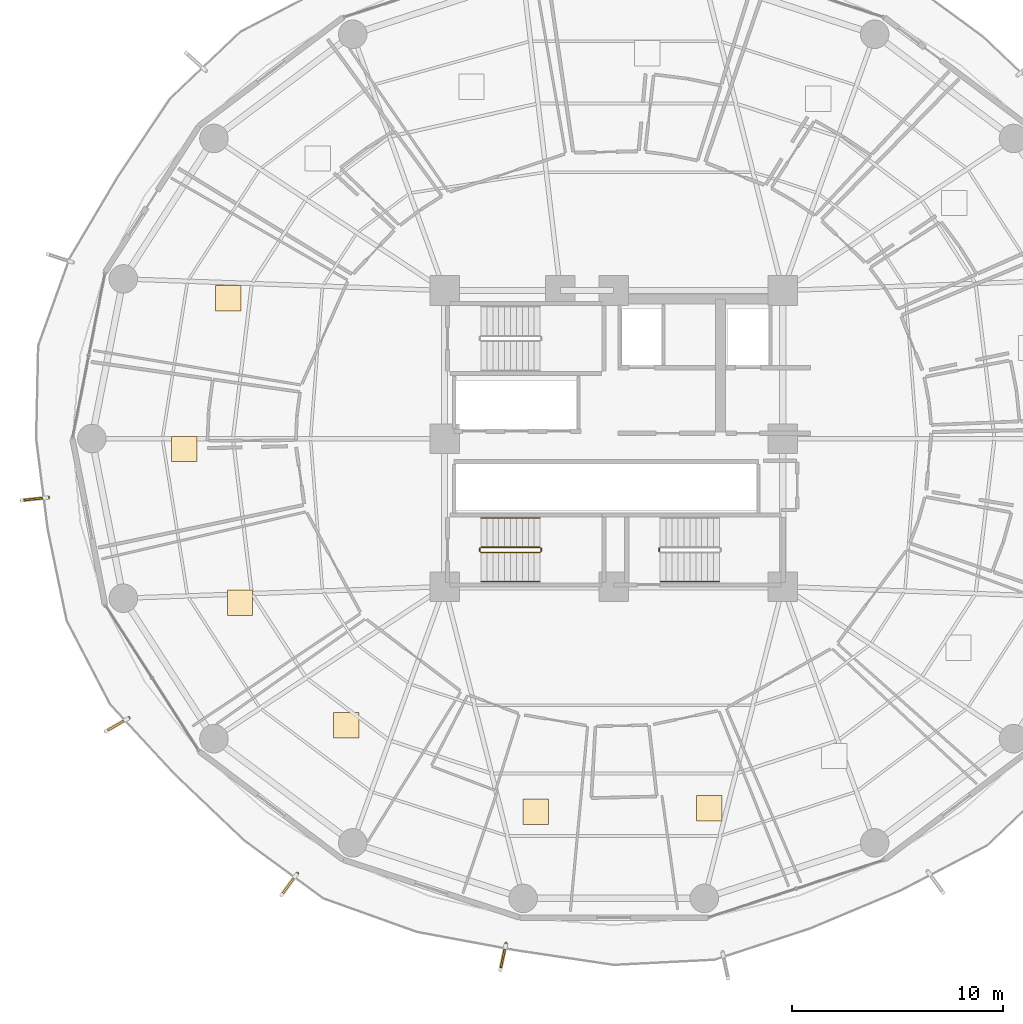
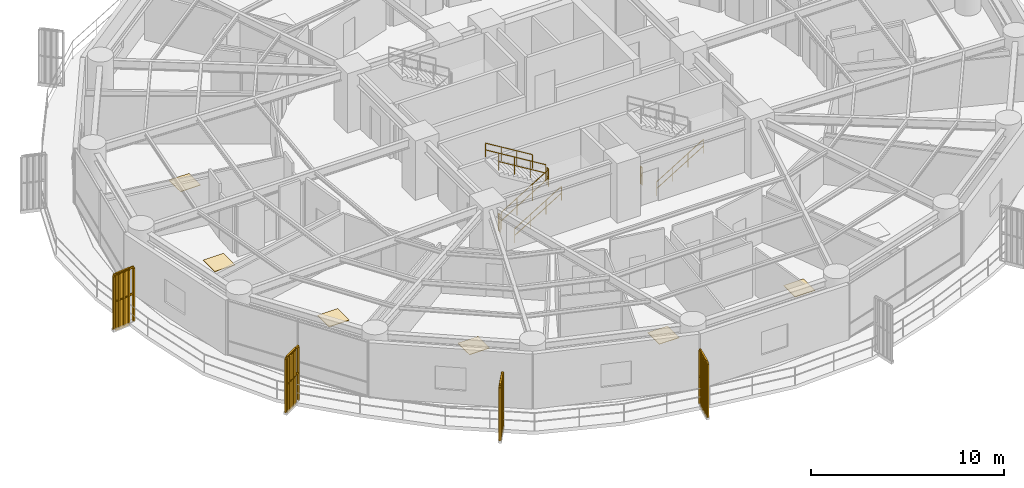
# One storey, part 32 of 35: 12 railings, 6 coverings, 4 shading devices.
"""IFC4 building model written with IfcOpenShell, lengths in metres."""

from ifc_helpers import new_model, si_unit, direction, frame, origin, origin_2d, place, context, subcontext, project, spatial, polyline, rectangle, outline, extrude, source, transform, mapped, material, layer, layer_set, type_object, element, save


model = new_model("IFC4")

# Units and contexts
model_context = context("Model", 3, precision=1e-05, world=origin(), true_north=direction((0.0, 1.0)))
body_context = subcontext(model_context, "Body", "Model", "MODEL_VIEW")
ifc_project = project(units=[si_unit("LENGTHUNIT", "METRE"), si_unit("AREAUNIT", "SQUARE_METRE"), si_unit("VOLUMEUNIT", "CUBIC_METRE"), si_unit("PLANEANGLEUNIT", "RADIAN"), si_unit("MASSUNIT", "GRAM", prefix="KILO")], contexts=[model_context])

# Site, building, storey
site_placement = place(None, origin())
site = spatial("IfcSite", under=ifc_project, at=site_placement, CompositionType="ELEMENT")
building_placement = place(site_placement, origin())
building = spatial("IfcBuilding", under=site, at=building_placement, Name="Kelanora Arch Commons", CompositionType="ELEMENT")
storey_placement = place(building_placement, frame((0.0, 0.0, 87.60009765625)))
storey = spatial("IfcBuildingStorey", under=building, at=storey_placement, Name="L22", CompositionType="ELEMENT", Elevation=87.60009765625)

# Railings
ifc_material_1 = material(Name="Anodised bronze vertical shading fin rib assembly")
railing_type_1 = type_object("IfcRailingType", Name="RAIL-FIN-BRZ", PredefinedType="BALUSTRADE", material=ifc_material_1)
railing_1_placement = place(storey_placement, frame((47.263427734375, 55.209716796875, -0.02001953125)))
element("IfcRailing", 1, at=railing_1_placement, inside=storey, type_object=railing_type_1, Name="Sweeping Bronze Vertical Fin Blade L22-06", PredefinedType="BALUSTRADE", context=body_context, shape_type="SweptSolid", body=[
    extrude(outline(polyline([(0.06982421875, 0.0), (0.034912109375, 0.060546875), (-0.034912109375, 0.060546875), (-0.06982421875, 0.0), (-0.034912109375, -0.060546875), (0.034912109375, -0.060546875), (0.06982421875, 0.0)])), frame((0.0, 0.0, 3.419921875), z_axis=(-0.994585305341, -0.103923387168, 0.0), x_axis=(0.103923387168, -0.994585305341, 0.0)), (0.0, 0.0, 1.0), 1.2685546875),
    extrude(outline(polyline([(0.06982421875, 0.0), (0.034912109375, 0.060546875), (-0.034912109375, 0.060546875), (-0.06982421875, 0.0), (-0.034912109375, -0.060546875), (0.034912109375, -0.060546875), (0.06982421875, 0.0)])), frame((0.0, 0.0, 1.7451171875), z_axis=(-0.994585305341, -0.103923387168, 0.0), x_axis=(0.103923387168, -0.994585305341, 0.0)), (0.0, 0.0, 1.0), 1.2685546875),
    extrude(outline(polyline([(0.080078125, 0.0), (0.0400390625, 0.0693359375), (-0.0400390625, 0.0693359375), (-0.080078125, 0.0), (-0.0400390625, -0.0693359375), (0.0400390625, -0.0693359375), (0.080078125, 0.0)])), origin(), (0.0, 0.0, 1.0), 3.35009765625),
    extrude(outline(polyline([(0.080078125, 0.0), (0.0400390625, 0.0693359375), (-0.0400390625, 0.0693359375), (-0.080078125, 0.0), (-0.0400390625, -0.0693359375), (0.0400390625, -0.0693359375), (0.080078125, 0.0)])), frame((-0.3154296875, -0.032958984375, 0.0)), (0.0, 0.0, 1.0), 3.35009765625),
    extrude(outline(polyline([(0.080078125, 0.0), (0.0400390625, 0.0693359375), (-0.0400390625, 0.0693359375), (-0.080078125, 0.0), (-0.0400390625, -0.0693359375), (0.0400390625, -0.0693359375), (0.080078125, 0.0)])), frame((-0.630859375, -0.06591796875, 0.0)), (0.0, 0.0, 1.0), 3.35009765625),
    extrude(outline(polyline([(0.080078125, 0.0), (0.0400390625, 0.0693359375), (-0.0400390625, 0.0693359375), (-0.080078125, 0.0), (-0.0400390625, -0.0693359375), (0.0400390625, -0.0693359375), (0.080078125, 0.0)])), frame((-0.9462890625, -0.098876953125, 0.0)), (0.0, 0.0, 1.0), 3.35009765625),
    extrude(outline(polyline([(0.080078125, 0.0), (0.0400390625, 0.0693359375), (-0.0400390625, 0.0693359375), (-0.080078125, 0.0), (-0.0400390625, -0.0693359375), (0.0400390625, -0.0693359375), (0.080078125, 0.0)])), frame((-1.26171875, -0.1318359375, 0.0)), (0.0, 0.0, 1.0), 3.35009765625),
])
railing_2_placement = place(storey_placement, frame((51.073974609375, 44.7861328125, -0.02001953125)))
element("IfcRailing", 2, at=railing_2_placement, inside=storey, type_object=railing_type_1, Name="Sweeping Bronze Vertical Fin Blade L22-07", PredefinedType="BALUSTRADE", context=body_context, shape_type="SweptSolid", body=[
    extrude(outline(polyline([(0.06982421875, 0.0), (0.034912109375, 0.060546875), (-0.034912109375, 0.060546875), (-0.06982421875, 0.0), (-0.034912109375, -0.060546875), (0.034912109375, -0.060546875), (0.06982421875, 0.0)])), frame((0.0, 0.0, 3.419921875), z_axis=(-0.866329745982, -0.499472492962, 0.0), x_axis=(0.499472492962, -0.866329745982, 0.0)), (0.0, 0.0, 1.0), 1.268310546875),
    extrude(outline(polyline([(0.06982421875, 0.0), (0.034912109375, 0.060546875), (-0.034912109375, 0.060546875), (-0.06982421875, 0.0), (-0.034912109375, -0.060546875), (0.034912109375, -0.060546875), (0.06982421875, 0.0)])), frame((0.0, 0.0, 1.7451171875), z_axis=(-0.866329745982, -0.499472492962, 0.0), x_axis=(0.499472492962, -0.866329745982, 0.0)), (0.0, 0.0, 1.0), 1.268310546875),
    extrude(outline(polyline([(0.080078125, 0.0), (0.0400390625, 0.0693359375), (-0.0400390625, 0.0693359375), (-0.080078125, 0.0), (-0.0400390625, -0.0693359375), (0.0400390625, -0.0693359375), (0.080078125, 0.0)])), origin(), (0.0, 0.0, 1.0), 3.35009765625),
    extrude(outline(polyline([(0.080078125, 0.0), (0.0400390625, 0.0693359375), (-0.0400390625, 0.0693359375), (-0.080078125, 0.0), (-0.0400390625, -0.0693359375), (0.0400390625, -0.0693359375), (0.080078125, 0.0)])), frame((-0.274658203125, -0.158447265625, 0.0)), (0.0, 0.0, 1.0), 3.35009765625),
    extrude(outline(polyline([(0.080078125, 0.0), (0.0400390625, 0.0693359375), (-0.0400390625, 0.0693359375), (-0.080078125, 0.0), (-0.0400390625, -0.0693359375), (0.0400390625, -0.0693359375), (0.080078125, 0.0)])), frame((-0.54931640625, -0.31689453125, 0.0)), (0.0, 0.0, 1.0), 3.35009765625),
    extrude(outline(polyline([(0.080078125, 0.0), (0.0400390625, 0.0693359375), (-0.0400390625, 0.0693359375), (-0.080078125, 0.0), (-0.0400390625, -0.0693359375), (0.0400390625, -0.0693359375), (0.080078125, 0.0)])), frame((-0.82421875, -0.47509765625, 0.0)), (0.0, 0.0, 1.0), 3.35009765625),
    extrude(outline(polyline([(0.080078125, 0.0), (0.0400390625, 0.0693359375), (-0.0400390625, 0.0693359375), (-0.080078125, 0.0), (-0.0400390625, -0.0693359375), (0.0400390625, -0.0693359375), (0.080078125, 0.0)])), frame((-1.098876953125, -0.633544921875, 0.0)), (0.0, 0.0, 1.0), 3.35009765625),
])
railing_3_placement = place(storey_placement, frame((59.03515625, 37.434326171875, -0.02001953125)))
element("IfcRailing", 3, at=railing_3_placement, inside=storey, type_object=railing_type_1, Name="Sweeping Bronze Vertical Fin Blade L22-08", PredefinedType="BALUSTRADE", context=body_context, shape_type="SweptSolid", body=[
    extrude(outline(polyline([(0.06982421875, 0.0), (0.034912109375, 0.060546875), (-0.034912109375, 0.060546875), (-0.06982421875, 0.0), (-0.034912109375, -0.060546875), (0.034912109375, -0.060546875), (0.06982421875, 0.0)])), frame((0.0, 0.0, 3.419921875), z_axis=(-0.588389118575, -0.80857791532, 0.0), x_axis=(0.80857791532, -0.588389118575, 0.0)), (0.0, 0.0, 1.0), 1.2685546875),
    extrude(outline(polyline([(0.06982421875, 0.0), (0.034912109375, 0.060546875), (-0.034912109375, 0.060546875), (-0.06982421875, 0.0), (-0.034912109375, -0.060546875), (0.034912109375, -0.060546875), (0.06982421875, 0.0)])), frame((0.0, 0.0, 1.7451171875), z_axis=(-0.588389118575, -0.80857791532, 0.0), x_axis=(0.80857791532, -0.588389118575, 0.0)), (0.0, 0.0, 1.0), 1.2685546875),
    extrude(outline(polyline([(0.080078125, 0.0), (0.0400390625, 0.0693359375), (-0.0400390625, 0.0693359375), (-0.080078125, 0.0), (-0.0400390625, -0.0693359375), (0.0400390625, -0.0693359375), (0.080078125, 0.0)])), origin(), (0.0, 0.0, 1.0), 3.35009765625),
    extrude(outline(polyline([(0.080078125, 0.0), (0.0400390625, 0.0693359375), (-0.0400390625, 0.0693359375), (-0.080078125, 0.0), (-0.0400390625, -0.0693359375), (0.0400390625, -0.0693359375), (0.080078125, 0.0)])), frame((-0.1865234375, -0.25634765625, 0.0)), (0.0, 0.0, 1.0), 3.35009765625),
    extrude(outline(polyline([(0.080078125, 0.0), (0.0400390625, 0.0693359375), (-0.0400390625, 0.0693359375), (-0.080078125, 0.0), (-0.0400390625, -0.0693359375), (0.0400390625, -0.0693359375), (0.080078125, 0.0)])), frame((-0.373046875, -0.5126953125, 0.0)), (0.0, 0.0, 1.0), 3.35009765625),
    extrude(outline(polyline([(0.080078125, 0.0), (0.0400390625, 0.0693359375), (-0.0400390625, 0.0693359375), (-0.080078125, 0.0), (-0.0400390625, -0.0693359375), (0.0400390625, -0.0693359375), (0.080078125, 0.0)])), frame((-0.559814453125, -0.769287109375, 0.0)), (0.0, 0.0, 1.0), 3.35009765625),
    extrude(outline(polyline([(0.080078125, 0.0), (0.0400390625, 0.0693359375), (-0.0400390625, 0.0693359375), (-0.080078125, 0.0), (-0.0400390625, -0.0693359375), (0.0400390625, -0.0693359375), (0.080078125, 0.0)])), frame((-0.746337890625, -1.025634765625, 0.0)), (0.0, 0.0, 1.0), 3.35009765625),
])
railing_4_placement = place(storey_placement, frame((68.904541015625, 34.113525390625, -0.02001953125)))
element("IfcRailing", 4, at=railing_4_placement, inside=storey, type_object=railing_type_1, Name="Sweeping Bronze Vertical Fin Blade L22-09", PredefinedType="BALUSTRADE", context=body_context, shape_type="SweptSolid", body=[
    extrude(outline(polyline([(0.06982421875, 0.0), (0.034912109375, 0.060546875), (-0.034912109375, 0.060546875), (-0.06982421875, 0.0), (-0.034912109375, -0.060546875), (0.034912109375, -0.060546875), (0.06982421875, 0.0)])), frame((0.0, 0.0, 3.419921875), z_axis=(-0.208609021009, -0.97799911879, 0.0), x_axis=(0.97799911879, -0.208609021009, 0.0)), (0.0, 0.0, 1.0), 1.2685546875),
    extrude(outline(polyline([(0.06982421875, 0.0), (0.034912109375, 0.060546875), (-0.034912109375, 0.060546875), (-0.06982421875, 0.0), (-0.034912109375, -0.060546875), (0.034912109375, -0.060546875), (0.06982421875, 0.0)])), frame((0.0, 0.0, 1.7451171875), z_axis=(-0.208609021009, -0.97799911879, 0.0), x_axis=(0.97799911879, -0.208609021009, 0.0)), (0.0, 0.0, 1.0), 1.2685546875),
    extrude(outline(polyline([(0.080078125, 0.0), (0.0400390625, 0.0693359375), (-0.0400390625, 0.0693359375), (-0.080078125, 0.0), (-0.0400390625, -0.0693359375), (0.0400390625, -0.0693359375), (0.080078125, 0.0)])), origin(), (0.0, 0.0, 1.0), 3.35009765625),
    extrude(outline(polyline([(0.080078125, 0.0), (0.0400390625, 0.0693359375), (-0.0400390625, 0.0693359375), (-0.080078125, 0.0), (-0.0400390625, -0.0693359375), (0.0400390625, -0.0693359375), (0.080078125, 0.0)])), frame((-0.066162109375, -0.31005859375, 0.0)), (0.0, 0.0, 1.0), 3.35009765625),
    extrude(outline(polyline([(0.080078125, 0.0), (0.0400390625, 0.0693359375), (-0.0400390625, 0.0693359375), (-0.080078125, 0.0), (-0.0400390625, -0.0693359375), (0.0400390625, -0.0693359375), (0.080078125, 0.0)])), frame((-0.13232421875, -0.620361328125, 0.0)), (0.0, 0.0, 1.0), 3.35009765625),
    extrude(outline(polyline([(0.080078125, 0.0), (0.0400390625, 0.0693359375), (-0.0400390625, 0.0693359375), (-0.080078125, 0.0), (-0.0400390625, -0.0693359375), (0.0400390625, -0.0693359375), (0.080078125, 0.0)])), frame((-0.198486328125, -0.9306640625, 0.0)), (0.0, 0.0, 1.0), 3.35009765625),
    extrude(outline(polyline([(0.080078125, 0.0), (0.0400390625, 0.0693359375), (-0.0400390625, 0.0693359375), (-0.080078125, 0.0), (-0.0400390625, -0.0693359375), (0.0400390625, -0.0693359375), (0.080078125, 0.0)])), frame((-0.2646484375, -1.24072265625, 0.0)), (0.0, 0.0, 1.0), 3.35009765625),
])
ifc_material_2 = material(Name="Painted steel stair well guard", Category="steel")
railing_type_2 = type_object("IfcRailingType", Name="RAIL-STAIR-GRD", PredefinedType="GUARDRAIL", material=ifc_material_2)
railing_5_placement = place(storey_placement, frame((76.14990234375, 52.659912109375, 0.0)))
element("IfcRailing", 5, at=railing_5_placement, inside=storey, type_object=railing_type_2, Name="L22 ST-T2 stair guard 4", PredefinedType="GUARDRAIL", context=body_context, shape_type="SweptSolid", body=[
    extrude(outline(polyline([(0.02392578125, 0.0), (0.011962890625, 0.020751953125), (-0.011962890625, 0.020751953125), (-0.02392578125, 0.0), (-0.011962890625, -0.020751953125), (0.011962890625, -0.020751953125), (0.02392578125, 0.0)])), frame((0.0, 0.0, 1.076171875), z_axis=(0.0, 1.0, 0.0), x_axis=(-1.0, 0.0, 0.0)), (0.0, 0.0, 1.0), 0.150146484375),
    extrude(outline(polyline([(0.02392578125, 0.0), (0.011962890625, 0.020751953125), (-0.011962890625, 0.020751953125), (-0.02392578125, 0.0), (-0.011962890625, -0.020751953125), (0.011962890625, -0.020751953125), (0.02392578125, 0.0)])), frame((0.0, 0.0, 0.550048828125), z_axis=(0.0, 1.0, 0.0), x_axis=(-1.0, 0.0, 0.0)), (0.0, 0.0, 1.0), 0.150146484375),
    extrude(outline(polyline([(0.02099609375, 0.0), (0.010498046875, 0.01806640625), (-0.010498046875, 0.01806640625), (-0.02099609375, 0.0), (-0.010498046875, -0.01806640625), (0.010498046875, -0.01806640625), (0.02099609375, 0.0)])), origin(), (0.0, 0.0, 1.0), 1.052001953125),
    extrude(outline(polyline([(0.02099609375, 0.0), (0.010498046875, 0.01806640625), (-0.010498046875, 0.01806640625), (-0.02099609375, 0.0), (-0.010498046875, -0.01806640625), (0.010498046875, -0.01806640625), (0.02099609375, 0.0)])), frame((0.0, 0.150146484375, 0.0)), (0.0, 0.0, 1.0), 1.052001953125),
])
railing_6_placement = place(storey_placement, frame((67.719970703125, 52.610107421875, 0.17041015625)))
element("IfcRailing", 6, at=railing_6_placement, inside=storey, type_object=railing_type_2, Name="L22 ST-T3 stair guard 1", PredefinedType="GUARDRAIL", context=body_context, shape_type="SweptSolid", body=[
    extrude(outline(polyline([(0.02392578125, 0.0), (0.011962890625, 0.020751953125), (-0.011962890625, 0.020751953125), (-0.02392578125, 0.0), (-0.011962890625, -0.020751953125), (0.011962890625, -0.020751953125), (0.02392578125, 0.0)])), frame((0.0, 0.0, 1.076171875), z_axis=(0.854169791009, 0.0, 0.51999420009), x_axis=(0.0, 1.0, 0.0)), (0.0, 0.0, 1.0), 3.278076171875),
    extrude(outline(polyline([(0.02392578125, 0.0), (0.011962890625, 0.020751953125), (-0.011962890625, 0.020751953125), (-0.02392578125, 0.0), (-0.011962890625, -0.020751953125), (0.011962890625, -0.020751953125), (0.02392578125, 0.0)])), frame((0.0, 0.0, 0.550048828125), z_axis=(0.854169791009, 0.0, 0.51999420009), x_axis=(0.0, 1.0, 0.0)), (0.0, 0.0, 1.0), 3.278076171875),
    extrude(outline(polyline([(0.02099609375, 0.0), (0.010498046875, 0.01806640625), (-0.010498046875, 0.01806640625), (-0.02099609375, 0.0), (-0.010498046875, -0.01806640625), (0.010498046875, -0.01806640625), (0.02099609375, 0.0)])), origin(), (0.0, 0.0, 1.0), 1.052001953125),
    extrude(outline(polyline([(0.02099609375, 0.0), (0.010498046875, 0.01806640625), (-0.010498046875, 0.01806640625), (-0.02099609375, 0.0), (-0.010498046875, -0.01806640625), (0.010498046875, -0.01806640625), (0.02099609375, 0.0)])), frame((0.933349609375, 0.0, 0.568115234375)), (0.0, 0.0, 1.0), 1.052001953125),
    extrude(outline(polyline([(0.02099609375, 0.0), (0.010498046875, 0.01806640625), (-0.010498046875, 0.01806640625), (-0.02099609375, 0.0), (-0.010498046875, -0.01806640625), (0.010498046875, -0.01806640625), (0.02099609375, 0.0)])), frame((1.86669921875, 0.0, 1.136474609375)), (0.0, 0.0, 1.0), 1.052001953125),
    extrude(outline(polyline([(0.02099609375, 0.0), (0.010498046875, 0.01806640625), (-0.010498046875, 0.01806640625), (-0.02099609375, 0.0), (-0.010498046875, -0.01806640625), (0.010498046875, -0.01806640625), (0.02099609375, 0.0)])), frame((2.800048828125, 0.0, 1.70458984375)), (0.0, 0.0, 1.0), 1.052001953125),
])
railing_7_placement = place(storey_placement, frame((70.570068359375, 52.659912109375, 1.875)))
element("IfcRailing", 7, at=railing_7_placement, inside=storey, type_object=railing_type_2, Name="L22 ST-T3 stair guard 2", PredefinedType="GUARDRAIL", context=body_context, shape_type="SweptSolid", body=[
    extrude(outline(polyline([(0.02392578125, 0.0), (0.011962890625, 0.020751953125), (-0.011962890625, 0.020751953125), (-0.02392578125, 0.0), (-0.011962890625, -0.020751953125), (0.011962890625, -0.020751953125), (0.02392578125, 0.0)])), frame((0.0, 0.0, 1.076171875), z_axis=(0.0, 1.0, 0.0), x_axis=(-1.0, 0.0, 0.0)), (0.0, 0.0, 1.0), 0.150146484375),
    extrude(outline(polyline([(0.02392578125, 0.0), (0.011962890625, 0.020751953125), (-0.011962890625, 0.020751953125), (-0.02392578125, 0.0), (-0.011962890625, -0.020751953125), (0.011962890625, -0.020751953125), (0.02392578125, 0.0)])), frame((0.0, 0.0, 0.550048828125), z_axis=(0.0, 1.0, 0.0), x_axis=(-1.0, 0.0, 0.0)), (0.0, 0.0, 1.0), 0.150146484375),
    extrude(outline(polyline([(0.02099609375, 0.0), (0.010498046875, 0.01806640625), (-0.010498046875, 0.01806640625), (-0.02099609375, 0.0), (-0.010498046875, -0.01806640625), (0.010498046875, -0.01806640625), (0.02099609375, 0.0)])), origin(), (0.0, 0.0, 1.0), 1.052001953125),
    extrude(outline(polyline([(0.02099609375, 0.0), (0.010498046875, 0.01806640625), (-0.010498046875, 0.01806640625), (-0.02099609375, 0.0), (-0.010498046875, -0.01806640625), (0.010498046875, -0.01806640625), (0.02099609375, 0.0)])), frame((0.0, 0.150146484375, 0.0)), (0.0, 0.0, 1.0), 1.052001953125),
])
railing_8_placement = place(storey_placement, frame((70.52001953125, 52.860107421875, 2.04541015625)))
element("IfcRailing", 8, at=railing_8_placement, inside=storey, type_object=railing_type_2, Name="L22 ST-T3 stair guard 3", PredefinedType="GUARDRAIL", context=body_context, shape_type="SweptSolid", body=[
    extrude(outline(polyline([(0.02392578125, 0.0), (0.011962890625, 0.020751953125), (-0.011962890625, 0.020751953125), (-0.02392578125, 0.0), (-0.011962890625, -0.020751953125), (0.011962890625, -0.020751953125), (0.02392578125, 0.0)])), frame((0.0, 0.0, 1.076171875), z_axis=(-0.854169791009, 0.0, 0.51999420009), x_axis=(0.0, -1.0, 0.0)), (0.0, 0.0, 1.0), 3.278076171875),
    extrude(outline(polyline([(0.02392578125, 0.0), (0.011962890625, 0.020751953125), (-0.011962890625, 0.020751953125), (-0.02392578125, 0.0), (-0.011962890625, -0.020751953125), (0.011962890625, -0.020751953125), (0.02392578125, 0.0)])), frame((0.0, 0.0, 0.550048828125), z_axis=(-0.854169791009, 0.0, 0.51999420009), x_axis=(0.0, -1.0, 0.0)), (0.0, 0.0, 1.0), 3.278076171875),
    extrude(outline(polyline([(0.02099609375, 0.0), (0.010498046875, 0.01806640625), (-0.010498046875, 0.01806640625), (-0.02099609375, 0.0), (-0.010498046875, -0.01806640625), (0.010498046875, -0.01806640625), (0.02099609375, 0.0)])), origin(), (0.0, 0.0, 1.0), 1.052001953125),
    extrude(outline(polyline([(0.02099609375, 0.0), (0.010498046875, 0.01806640625), (-0.010498046875, 0.01806640625), (-0.02099609375, 0.0), (-0.010498046875, -0.01806640625), (0.010498046875, -0.01806640625), (0.02099609375, 0.0)])), frame((-0.933349609375, 0.0, 0.568115234375)), (0.0, 0.0, 1.0), 1.052001953125),
    extrude(outline(polyline([(0.02099609375, 0.0), (0.010498046875, 0.01806640625), (-0.010498046875, 0.01806640625), (-0.02099609375, 0.0), (-0.010498046875, -0.01806640625), (0.010498046875, -0.01806640625), (0.02099609375, 0.0)])), frame((-1.86669921875, 0.0, 1.136474609375)), (0.0, 0.0, 1.0), 1.052001953125),
    extrude(outline(polyline([(0.02099609375, 0.0), (0.010498046875, 0.01806640625), (-0.010498046875, 0.01806640625), (-0.02099609375, 0.0), (-0.010498046875, -0.01806640625), (0.010498046875, -0.01806640625), (0.02099609375, 0.0)])), frame((-2.800048828125, 0.0, 1.70458984375)), (0.0, 0.0, 1.0), 1.052001953125),
])
railing_9_placement = place(storey_placement, frame((67.669921875, 52.659912109375, 0.0)))
element("IfcRailing", 9, at=railing_9_placement, inside=storey, type_object=railing_type_2, Name="L22 ST-T3 stair guard 4", PredefinedType="GUARDRAIL", context=body_context, shape_type="SweptSolid", body=[
    extrude(outline(polyline([(0.02392578125, 0.0), (0.011962890625, 0.020751953125), (-0.011962890625, 0.020751953125), (-0.02392578125, 0.0), (-0.011962890625, -0.020751953125), (0.011962890625, -0.020751953125), (0.02392578125, 0.0)])), frame((0.0, 0.0, 1.076171875), z_axis=(0.0, 1.0, 0.0), x_axis=(-1.0, 0.0, 0.0)), (0.0, 0.0, 1.0), 0.150146484375),
    extrude(outline(polyline([(0.02392578125, 0.0), (0.011962890625, 0.020751953125), (-0.011962890625, 0.020751953125), (-0.02392578125, 0.0), (-0.011962890625, -0.020751953125), (0.011962890625, -0.020751953125), (0.02392578125, 0.0)])), frame((0.0, 0.0, 0.550048828125), z_axis=(0.0, 1.0, 0.0), x_axis=(-1.0, 0.0, 0.0)), (0.0, 0.0, 1.0), 0.150146484375),
    extrude(outline(polyline([(0.02099609375, 0.0), (0.010498046875, 0.01806640625), (-0.010498046875, 0.01806640625), (-0.02099609375, 0.0), (-0.010498046875, -0.01806640625), (0.010498046875, -0.01806640625), (0.02099609375, 0.0)])), origin(), (0.0, 0.0, 1.0), 1.052001953125),
    extrude(outline(polyline([(0.02099609375, 0.0), (0.010498046875, 0.01806640625), (-0.010498046875, 0.01806640625), (-0.02099609375, 0.0), (-0.010498046875, -0.01806640625), (0.010498046875, -0.01806640625), (0.02099609375, 0.0)])), frame((0.0, 0.150146484375, 0.0)), (0.0, 0.0, 1.0), 1.052001953125),
])
ifc_material_3 = material(Name="Brushed stainless steel stair handrail", Category="steel")
railing_type_3 = type_object("IfcRailingType", Name="RAIL-STAIR-HND", PredefinedType="HANDRAIL", material=ifc_material_3)
railing_10_placement = place(storey_placement, frame((76.199951171875, 51.22998046875, 0.17041015625)))
element("IfcRailing", 10, at=railing_10_placement, inside=storey, type_object=railing_type_3, Name="L22 ST-T2 stair handrail 1", PredefinedType="HANDRAIL", context=body_context, shape_type="SweptSolid", body=[
    extrude(outline(polyline([(0.02392578125, 0.0), (0.011962890625, 0.020751953125), (-0.011962890625, 0.020751953125), (-0.02392578125, 0.0), (-0.011962890625, -0.020751953125), (0.011962890625, -0.020751953125), (0.02392578125, 0.0)])), frame((0.0, 0.0, 0.8759765625), z_axis=(0.854169791009, 0.0, 0.51999420009), x_axis=(0.0, 1.0, 0.0)), (0.0, 0.0, 1.0), 3.278076171875),
    extrude(outline(polyline([(0.02392578125, 0.0), (0.011962890625, 0.020751953125), (-0.011962890625, 0.020751953125), (-0.02392578125, 0.0), (-0.011962890625, -0.020751953125), (0.011962890625, -0.020751953125), (0.02392578125, 0.0)])), frame((0.0, 0.0, 0.449951171875), z_axis=(0.854169791009, 0.0, 0.51999420009), x_axis=(0.0, 1.0, 0.0)), (0.0, 0.0, 1.0), 3.278076171875),
    extrude(outline(polyline([(0.02099609375, 0.0), (0.010498046875, 0.01806640625), (-0.010498046875, 0.01806640625), (-0.02099609375, 0.0), (-0.010498046875, -0.01806640625), (0.010498046875, -0.01806640625), (0.02099609375, 0.0)])), origin(), (0.0, 0.0, 1.0), 0.851806640625),
    extrude(outline(polyline([(0.02099609375, 0.0), (0.010498046875, 0.01806640625), (-0.010498046875, 0.01806640625), (-0.02099609375, 0.0), (-0.010498046875, -0.01806640625), (0.010498046875, -0.01806640625), (0.02099609375, 0.0)])), frame((0.933349609375, 0.0, 0.568115234375)), (0.0, 0.0, 1.0), 0.851806640625),
    extrude(outline(polyline([(0.02099609375, 0.0), (0.010498046875, 0.01806640625), (-0.010498046875, 0.01806640625), (-0.02099609375, 0.0), (-0.010498046875, -0.01806640625), (0.010498046875, -0.01806640625), (0.02099609375, 0.0)])), frame((1.86669921875, 0.0, 1.136474609375)), (0.0, 0.0, 1.0), 0.851806640625),
    extrude(outline(polyline([(0.02099609375, 0.0), (0.010498046875, 0.01806640625), (-0.010498046875, 0.01806640625), (-0.02099609375, 0.0), (-0.010498046875, -0.01806640625), (0.010498046875, -0.01806640625), (0.02099609375, 0.0)])), frame((2.800048828125, 0.0, 1.70458984375)), (0.0, 0.0, 1.0), 0.851806640625),
])
railing_11_placement = place(storey_placement, frame((67.719970703125, 51.22998046875, 0.17041015625)))
element("IfcRailing", 11, at=railing_11_placement, inside=storey, type_object=railing_type_3, Name="L22 ST-T3 stair handrail 1", PredefinedType="HANDRAIL", context=body_context, shape_type="SweptSolid", body=[
    extrude(outline(polyline([(0.02392578125, 0.0), (0.011962890625, 0.020751953125), (-0.011962890625, 0.020751953125), (-0.02392578125, 0.0), (-0.011962890625, -0.020751953125), (0.011962890625, -0.020751953125), (0.02392578125, 0.0)])), frame((0.0, 0.0, 0.8759765625), z_axis=(0.854169791009, 0.0, 0.51999420009), x_axis=(0.0, 1.0, 0.0)), (0.0, 0.0, 1.0), 3.278076171875),
    extrude(outline(polyline([(0.02392578125, 0.0), (0.011962890625, 0.020751953125), (-0.011962890625, 0.020751953125), (-0.02392578125, 0.0), (-0.011962890625, -0.020751953125), (0.011962890625, -0.020751953125), (0.02392578125, 0.0)])), frame((0.0, 0.0, 0.449951171875), z_axis=(0.854169791009, 0.0, 0.51999420009), x_axis=(0.0, 1.0, 0.0)), (0.0, 0.0, 1.0), 3.278076171875),
    extrude(outline(polyline([(0.02099609375, 0.0), (0.010498046875, 0.01806640625), (-0.010498046875, 0.01806640625), (-0.02099609375, 0.0), (-0.010498046875, -0.01806640625), (0.010498046875, -0.01806640625), (0.02099609375, 0.0)])), origin(), (0.0, 0.0, 1.0), 0.851806640625),
    extrude(outline(polyline([(0.02099609375, 0.0), (0.010498046875, 0.01806640625), (-0.010498046875, 0.01806640625), (-0.02099609375, 0.0), (-0.010498046875, -0.01806640625), (0.010498046875, -0.01806640625), (0.02099609375, 0.0)])), frame((0.933349609375, 0.0, 0.568115234375)), (0.0, 0.0, 1.0), 0.851806640625),
    extrude(outline(polyline([(0.02099609375, 0.0), (0.010498046875, 0.01806640625), (-0.010498046875, 0.01806640625), (-0.02099609375, 0.0), (-0.010498046875, -0.01806640625), (0.010498046875, -0.01806640625), (0.02099609375, 0.0)])), frame((1.86669921875, 0.0, 1.136474609375)), (0.0, 0.0, 1.0), 0.851806640625),
    extrude(outline(polyline([(0.02099609375, 0.0), (0.010498046875, 0.01806640625), (-0.010498046875, 0.01806640625), (-0.02099609375, 0.0), (-0.010498046875, -0.01806640625), (0.010498046875, -0.01806640625), (0.02099609375, 0.0)])), frame((2.800048828125, 0.0, 1.70458984375)), (0.0, 0.0, 1.0), 0.851806640625),
])
railing_12_placement = place(storey_placement, frame((70.52001953125, 54.239990234375, 2.04541015625)))
element("IfcRailing", 12, at=railing_12_placement, inside=storey, type_object=railing_type_3, Name="L22 ST-T3 stair handrail 2", PredefinedType="HANDRAIL", context=body_context, shape_type="SweptSolid", body=[
    extrude(outline(polyline([(0.02392578125, 0.0), (0.011962890625, 0.020751953125), (-0.011962890625, 0.020751953125), (-0.02392578125, 0.0), (-0.011962890625, -0.020751953125), (0.011962890625, -0.020751953125), (0.02392578125, 0.0)])), frame((0.0, 0.0, 0.8759765625), z_axis=(-0.854169791009, 0.0, 0.51999420009), x_axis=(0.0, -1.0, 0.0)), (0.0, 0.0, 1.0), 3.278076171875),
    extrude(outline(polyline([(0.02392578125, 0.0), (0.011962890625, 0.020751953125), (-0.011962890625, 0.020751953125), (-0.02392578125, 0.0), (-0.011962890625, -0.020751953125), (0.011962890625, -0.020751953125), (0.02392578125, 0.0)])), frame((0.0, 0.0, 0.449951171875), z_axis=(-0.854169791009, 0.0, 0.51999420009), x_axis=(0.0, -1.0, 0.0)), (0.0, 0.0, 1.0), 3.278076171875),
    extrude(outline(polyline([(0.02099609375, 0.0), (0.010498046875, 0.01806640625), (-0.010498046875, 0.01806640625), (-0.02099609375, 0.0), (-0.010498046875, -0.01806640625), (0.010498046875, -0.01806640625), (0.02099609375, 0.0)])), origin(), (0.0, 0.0, 1.0), 0.851806640625),
    extrude(outline(polyline([(0.02099609375, 0.0), (0.010498046875, 0.01806640625), (-0.010498046875, 0.01806640625), (-0.02099609375, 0.0), (-0.010498046875, -0.01806640625), (0.010498046875, -0.01806640625), (0.02099609375, 0.0)])), frame((-0.933349609375, 0.0, 0.568115234375)), (0.0, 0.0, 1.0), 0.851806640625),
    extrude(outline(polyline([(0.02099609375, 0.0), (0.010498046875, 0.01806640625), (-0.010498046875, 0.01806640625), (-0.02099609375, 0.0), (-0.010498046875, -0.01806640625), (0.010498046875, -0.01806640625), (0.02099609375, 0.0)])), frame((-1.86669921875, 0.0, 1.136474609375)), (0.0, 0.0, 1.0), 0.851806640625),
    extrude(outline(polyline([(0.02099609375, 0.0), (0.010498046875, 0.01806640625), (-0.010498046875, 0.01806640625), (-0.02099609375, 0.0), (-0.010498046875, -0.01806640625), (0.010498046875, -0.01806640625), (0.02099609375, 0.0)])), frame((-2.800048828125, 0.0, 1.70458984375)), (0.0, 0.0, 1.0), 0.851806640625),
])

# Shading devices
ifc_material_4 = material(Name="Terracotta ceramic-clad extruded aluminium fin", Category="masonry")
shading_device_type = type_object("IfcShadingDeviceType", Name="SHD-FIN-FLARE", PredefinedType="USERDEFINED", material=ifc_material_4)
shared_shape_1 = source(origin(), body_context, "Body", "SweptSolid", [
    extrude(rectangle(XDim=0.8798828125, YDim=0.090087890625, at=origin_2d()), origin(), (0.0, 0.0, 1.0), 3.610107421875),
])
for number, where, z_axis, x_axis, name in (
    (13, (46.54736328125, 55.135009765625, -0.14013671875), (0.0, 0.0, 1.0), (-0.994594627637, -0.103834130589, 0.0), "Sweeping Terracotta Fin L22-06"),
    (14, (50.4501953125, 44.426513671875, -0.14013671875), (0.0, 0.0, 1.0), (-0.866374258561, -0.499395278414, 0.0), "Sweeping Terracotta Fin L22-07"),
    (15, (58.611328125, 36.85205078125, -0.14013671875), (0.0, 0.0, 1.0), (-0.588349909417, -0.808606445738, 0.0), "Sweeping Terracotta Fin L22-08"),
    (16, (68.754150390625, 33.4091796875, -0.14013671875), (0.0, 0.0, 1.0), (-0.208594515944, -0.978002212635, 0.0), "Sweeping Terracotta Fin L22-09"),
):
    element("IfcShadingDevice", number, at=place(storey_placement, frame(where, z_axis=z_axis, x_axis=x_axis)), inside=storey, type_object=shading_device_type, Name=name, ObjectType="FIN", PredefinedType="USERDEFINED", context=body_context, shape_type="MappedRepresentation", body=[
        mapped(shared_shape_1, transform((0.0, 0.0, 0.0), scale=1.0)),
    ])

# Coverings
ifc_material_5 = material(Name="Polished local granite terrazzo flooring", Category="masonry")
ifc_layer = layer(ifc_material_5, 0.030029296875)
ifc_layer_set = layer_set([ifc_layer], Name="Polished local granite terrazzo flooring")
covering_type = type_object("IfcCoveringType", Name="COV-FLR-TER", PredefinedType="FLOORING", material=ifc_layer_set)
shared_shape_2 = source(origin(), body_context, "Body", "SweptSolid", [
    extrude(rectangle(XDim=1.199951171875, YDim=1.199951171875, at=origin_2d()), origin(), (0.0, 0.0, 1.0), 0.030029296875),
])
for number, where, z_axis, x_axis, name in (
    (17, (55.765625, 64.632568359375, 0.0), (0.0, 0.0, 1.0), (1.0, 0.0, 0.0), "Social Sky Lounge L22-06 Terrazzo Finish"),
    (18, (53.69775390625, 57.505126953125, 0.0), (0.0, 0.0, 1.0), (1.0, 0.0, 0.0), "Co-Living Studio L22-07 Terrazzo Finish"),
    (19, (56.32421875, 50.238525390625, 0.0), (0.0, 0.0, 1.0), (1.0, 0.0, 0.0), "Quiet Seminar Study Room L22-08 Terrazzo Finish"),
    (20, (61.35888671875, 44.437255859375, 0.0), (0.0, 0.0, 1.0), (1.0, 0.0, 0.0), "Communal Dining and Social Hall L22-09 Terrazzo Finish"),
    (21, (70.3212890625, 40.349853515625, 0.0), (0.0, 0.0, 1.0), (1.0, 0.0, 0.0), "Quiet Reading Carrel L22-10 Terrazzo Finish"),
    (22, (78.526611328125, 40.5185546875, 0.0), (0.0, 0.0, 1.0), (1.0, 0.0, 0.0), "Tutorial Study Alcove L22-11 Terrazzo Finish"),
):
    element("IfcCovering", number, at=place(storey_placement, frame(where, z_axis=z_axis, x_axis=x_axis)), inside=storey, type_object=covering_type, Name=name, PredefinedType="FLOORING", context=body_context, shape_type="MappedRepresentation", body=[
        mapped(shared_shape_2, transform((0.0, 0.0, 0.0), scale=1.0)),
    ])

save(model, "model.ifc")
